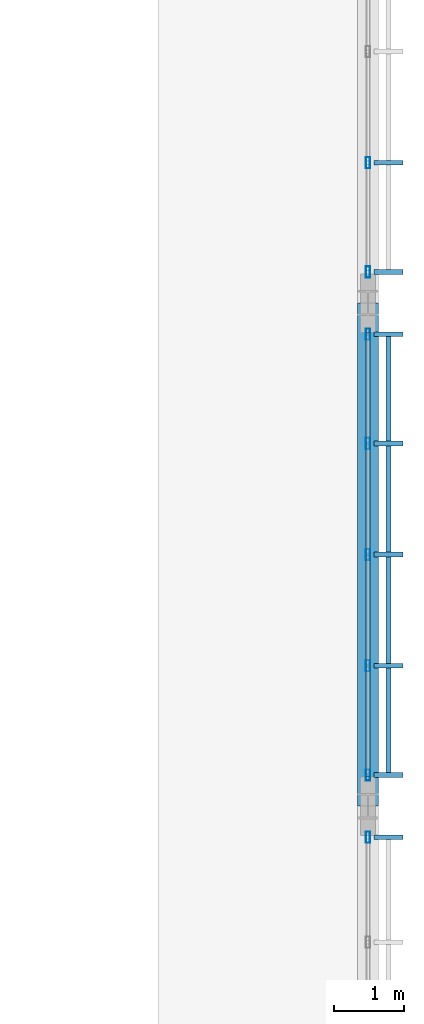
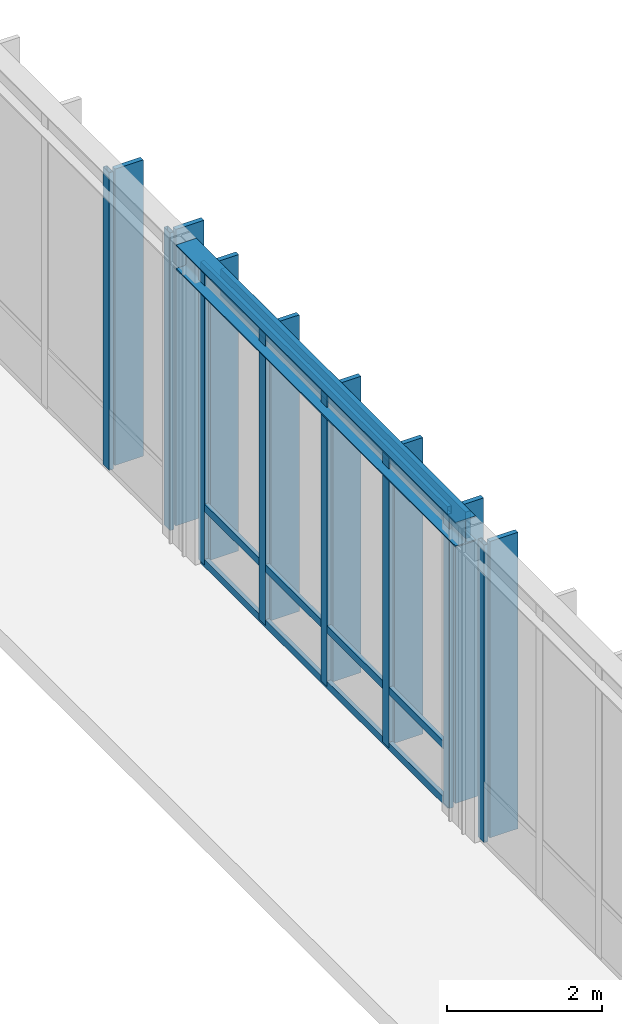
# One storey, part 110 of 177: 20 members, 1 beam, 3 elements without a shape of their own.
"""IFC4 building model written with IfcOpenShell, lengths in metres."""

from ifc_helpers import new_model, si_unit, direction, frame, origin, origin_2d, place, context, subcontext, project, spatial, rectangle, hollow_rectangle, i_section, extrude, material, material_profile, profile_set, type_object, element, aggregate, save


model = new_model("IFC4")

# Units and contexts
model_context = context("Model", 3, precision=1e-05, world=origin(), true_north=direction((0.0, 1.0)))
body_context = subcontext(model_context, "Body", "Model", "MODEL_VIEW")
ifc_project = project(units=[si_unit("LENGTHUNIT", "METRE"), si_unit("AREAUNIT", "SQUARE_METRE"), si_unit("VOLUMEUNIT", "CUBIC_METRE"), si_unit("PLANEANGLEUNIT", "RADIAN"), si_unit("MASSUNIT", "GRAM", prefix="KILO")], contexts=[model_context])

# Site, building, storey
site_placement = place(None, origin())
site = spatial("IfcSite", under=ifc_project, at=site_placement, CompositionType="ELEMENT")
building_placement = place(site_placement, origin())
building = spatial("IfcBuilding", under=site, at=building_placement, Name="Chiffa Square Polytechnic", CompositionType="ELEMENT")
storey_placement = place(building_placement, frame((0.0, 0.0, 4.800048828125)))
storey = spatial("IfcBuildingStorey", under=building, at=storey_placement, Name="L01", CompositionType="ELEMENT", Elevation=4.800048828125)

# Beam
ifc_material_1 = material(Name="Steel S355", Category="steel")
ifc_material_profile_1 = material_profile(ifc_material_1, i_section(OverallWidth=0.300048828125, OverallDepth=0.389892578125, WebThickness=0.010986328125, FlangeThickness=0.01904296875, FilletRadius=0.027099609375, at=origin_2d()), Name="HEA 400")
ifc_profile_set_1 = profile_set([ifc_material_profile_1], Name="Steel S355")
beam_type = type_object("IfcBeamType", Name="BM-STL-HEA400", PredefinedType="BEAM", material=ifc_profile_set_1)
beam_placement = place(storey_placement, frame((175.199951171875, 65.39990234375, 4.60498046875), z_axis=(0.0, 1.0, 0.0), x_axis=(-1.0, 0.0, 0.0)))
element("IfcBeam", 1, at=beam_placement, inside=storey, type_object=beam_type, Name="Workshop east gable tie girder BM-V2-GBLTIE-E2", PredefinedType="BEAM", context=body_context, shape_type="SweptSolid", body=[
    extrude(i_section(OverallWidth=0.300048828125, OverallDepth=0.389892578125, WebThickness=0.010986328125, FlangeThickness=0.01904296875, FilletRadius=0.027099609375, at=origin_2d()), origin(), (0.0, 0.0, 1.0), 7.2001953125),
])

# Curtain wall, member
ifc_material_2 = material(Name="Aluminium EN AW-6060 T66 and glulam shading", Category="wood")
curtain_wall_type_1 = type_object("IfcCurtainWallType", Name="CW-VERT-600X440", PredefinedType="USERDEFINED", material=ifc_material_2)
curtain_wall_1_placement = place(storey_placement, origin())
curtain_wall_1 = element("IfcCurtainWall", 2, at=curtain_wall_1_placement, inside=storey, type_object=curtain_wall_type_1, Name="Curtain wall CW-V2-L01E-01", ObjectType="CURTAIN WALL", PredefinedType="USERDEFINED")
ifc_material_3 = material(Name="Aluminium EN AW-6060 T66", Category="aluminium")
ifc_material_profile_2 = material_profile(ifc_material_3, hollow_rectangle(XDim=0.06005859375, YDim=0.159912109375, WallThickness=0.00390625, at=origin_2d()), Name="ALU 60x160x4")
ifc_profile_set_2 = profile_set([ifc_material_profile_2], Name="Aluminium EN AW-6060 T66")
member_type_1 = type_object("IfcMemberType", Name="CWM-ALU-65X150", PredefinedType="MULLION", material=ifc_profile_set_2)
member_1_placement = place(storey_placement, frame((175.199951171875, 64.955078125, 0.0400390625), z_axis=(0.0, 0.0, 1.0), x_axis=(1.0, 0.0, 0.0)))
member_1 = element("IfcMember", 3, at=member_1_placement, type_object=member_type_1, Name="Curtain wall mullion CW-V2-L01E-01-M04", PredefinedType="MULLION", context=body_context, shape_type="SweptSolid", body=[
    extrude(hollow_rectangle(XDim=0.06005859375, YDim=0.159912109375, WallThickness=0.00390625, at=origin_2d()), origin(), (0.0, 0.0, 1.0), 4.679931640625),
])

# Curtain wall, members
curtain_wall_type_2 = type_object("IfcCurtainWallType", Name="CW-VERT-450X380", PredefinedType="USERDEFINED", material=ifc_material_2)
curtain_wall_2_placement = place(storey_placement, origin())
curtain_wall_2 = element("IfcCurtainWall", 4, at=curtain_wall_2_placement, inside=storey, type_object=curtain_wall_type_2, Name="Curtain wall CW-V2-L01E-02", ObjectType="CURTAIN WALL", PredefinedType="USERDEFINED")
member_2_placement = place(storey_placement, frame((175.199951171875, 65.844970703125, 0.0400390625), z_axis=(0.0, 0.0, 1.0), x_axis=(1.0, 0.0, 0.0)))
member_2 = element("IfcMember", 5, at=member_2_placement, type_object=member_type_1, Name="Curtain wall mullion CW-V2-L01E-02-M00", PredefinedType="MULLION", context=body_context, shape_type="SweptSolid", body=[
    extrude(hollow_rectangle(XDim=0.06005859375, YDim=0.159912109375, WallThickness=0.00390625, at=origin_2d()), origin(), (0.0, 0.0, 1.0), 4.679931640625),
])
member_3_placement = place(storey_placement, frame((175.199951171875, 67.409912109375, 0.0400390625), z_axis=(0.0, 0.0, 1.0), x_axis=(1.0, 0.0, 0.0)))
member_3 = element("IfcMember", 6, at=member_3_placement, type_object=member_type_1, Name="Curtain wall mullion CW-V2-L01E-02-M01", PredefinedType="MULLION", context=body_context, shape_type="SweptSolid", body=[
    extrude(hollow_rectangle(XDim=0.06005859375, YDim=0.159912109375, WallThickness=0.00390625, at=origin_2d()), origin(), (0.0, 0.0, 1.0), 4.679931640625),
])
member_4_placement = place(storey_placement, frame((175.199951171875, 69.0, 0.0400390625), z_axis=(0.0, 0.0, 1.0), x_axis=(1.0, 0.0, 0.0)))
member_4 = element("IfcMember", 7, at=member_4_placement, type_object=member_type_1, Name="Curtain wall mullion CW-V2-L01E-02-M02", PredefinedType="MULLION", context=body_context, shape_type="SweptSolid", body=[
    extrude(hollow_rectangle(XDim=0.06005859375, YDim=0.159912109375, WallThickness=0.00390625, at=origin_2d()), origin(), (0.0, 0.0, 1.0), 4.679931640625),
])
member_5_placement = place(storey_placement, frame((175.199951171875, 70.590087890625, 0.0400390625), z_axis=(0.0, 0.0, 1.0), x_axis=(1.0, 0.0, 0.0)))
member_5 = element("IfcMember", 8, at=member_5_placement, type_object=member_type_1, Name="Curtain wall mullion CW-V2-L01E-02-M03", PredefinedType="MULLION", context=body_context, shape_type="SweptSolid", body=[
    extrude(hollow_rectangle(XDim=0.06005859375, YDim=0.159912109375, WallThickness=0.00390625, at=origin_2d()), origin(), (0.0, 0.0, 1.0), 4.679931640625),
])
member_6_placement = place(storey_placement, frame((175.199951171875, 72.155029296875, 0.0400390625), z_axis=(0.0, 0.0, 1.0), x_axis=(1.0, 0.0, 0.0)))
member_6 = element("IfcMember", 9, at=member_6_placement, type_object=member_type_1, Name="Curtain wall mullion CW-V2-L01E-02-M04", PredefinedType="MULLION", context=body_context, shape_type="SweptSolid", body=[
    extrude(hollow_rectangle(XDim=0.06005859375, YDim=0.159912109375, WallThickness=0.00390625, at=origin_2d()), origin(), (0.0, 0.0, 1.0), 4.679931640625),
])

curtain_wall_type_3 = type_object("IfcCurtainWallType", Name="CW-VERT-300X380", PredefinedType="USERDEFINED", material=ifc_material_2)
curtain_wall_3_placement = place(storey_placement, origin())
curtain_wall_3 = element("IfcCurtainWall", 10, at=curtain_wall_3_placement, inside=storey, type_object=curtain_wall_type_3, Name="Curtain wall CW-V2-L01E-03", ObjectType="CURTAIN WALL", PredefinedType="USERDEFINED")
member_7_placement = place(storey_placement, frame((175.199951171875, 73.044921875, 0.0400390625), z_axis=(0.0, 0.0, 1.0), x_axis=(1.0, 0.0, 0.0)))
member_7 = element("IfcMember", 11, at=member_7_placement, type_object=member_type_1, Name="Curtain wall mullion CW-V2-L01E-03-M00", PredefinedType="MULLION", context=body_context, shape_type="SweptSolid", body=[
    extrude(hollow_rectangle(XDim=0.06005859375, YDim=0.159912109375, WallThickness=0.00390625, at=origin_2d()), origin(), (0.0, 0.0, 1.0), 4.679931640625),
])
member_8_placement = place(storey_placement, frame((175.199951171875, 74.610107421875, 0.0400390625), z_axis=(0.0, 0.0, 1.0), x_axis=(1.0, 0.0, 0.0)))
member_8 = element("IfcMember", 12, at=member_8_placement, type_object=member_type_1, Name="Curtain wall mullion CW-V2-L01E-03-M01", PredefinedType="MULLION", context=body_context, shape_type="SweptSolid", body=[
    extrude(hollow_rectangle(XDim=0.06005859375, YDim=0.159912109375, WallThickness=0.00390625, at=origin_2d()), origin(), (0.0, 0.0, 1.0), 4.679931640625),
])

# Member
ifc_material_4 = material(Name="Glulam GL28h", Category="wood")
ifc_material_profile_3 = material_profile(ifc_material_4, rectangle(XDim=0.070068359375, YDim=0.419921875, at=origin_2d()), Name="GL28h 70x420")
ifc_profile_set_3 = profile_set([ifc_material_profile_3], Name="Glulam GL28h")
member_type_2 = type_object("IfcMemberType", Name="CWM-GL-70X420", PredefinedType="MULLION", material=ifc_profile_set_3)
member_9_placement = place(storey_placement, frame((175.491943359375, 64.955078125, 0.050048828125), z_axis=(0.0, 0.0, 1.0), x_axis=(0.0, 1.0, 0.0)))
member_9 = element("IfcMember", 13, at=member_9_placement, type_object=member_type_2, Name="Exterior glulam solar fin CW-V2-L01E-01-FN04", PredefinedType="MULLION", context=body_context, shape_type="SweptSolid", body=[
    extrude(rectangle(XDim=0.070068359375, YDim=0.419921875, at=origin_2d()), origin(), (0.0, 0.0, 1.0), 4.659912109375),
])

aggregate(curtain_wall_1, [member_1, member_9])

member_10_placement = place(storey_placement, frame((175.491943359375, 65.844970703125, 0.050048828125), z_axis=(0.0, 0.0, 1.0), x_axis=(0.0, 1.0, 0.0)))
member_10 = element("IfcMember", 14, at=member_10_placement, type_object=member_type_2, Name="Exterior glulam solar fin CW-V2-L01E-02-FN00", PredefinedType="MULLION", context=body_context, shape_type="SweptSolid", body=[
    extrude(rectangle(XDim=0.070068359375, YDim=0.419921875, at=origin_2d()), origin(), (0.0, 0.0, 1.0), 4.659912109375),
])

member_11_placement = place(storey_placement, frame((175.491943359375, 67.409912109375, 0.050048828125), z_axis=(0.0, 0.0, 1.0), x_axis=(0.0, 1.0, 0.0)))
member_11 = element("IfcMember", 15, at=member_11_placement, type_object=member_type_2, Name="Exterior glulam solar fin CW-V2-L01E-02-FN01", PredefinedType="MULLION", context=body_context, shape_type="SweptSolid", body=[
    extrude(rectangle(XDim=0.070068359375, YDim=0.419921875, at=origin_2d()), origin(), (0.0, 0.0, 1.0), 4.659912109375),
])

member_12_placement = place(storey_placement, frame((175.491943359375, 69.0, 0.050048828125), z_axis=(0.0, 0.0, 1.0), x_axis=(0.0, 1.0, 0.0)))
member_12 = element("IfcMember", 16, at=member_12_placement, type_object=member_type_2, Name="Exterior glulam solar fin CW-V2-L01E-02-FN02", PredefinedType="MULLION", context=body_context, shape_type="SweptSolid", body=[
    extrude(rectangle(XDim=0.070068359375, YDim=0.419921875, at=origin_2d()), origin(), (0.0, 0.0, 1.0), 4.659912109375),
])

member_13_placement = place(storey_placement, frame((175.491943359375, 70.590087890625, 0.050048828125), z_axis=(0.0, 0.0, 1.0), x_axis=(0.0, 1.0, 0.0)))
member_13 = element("IfcMember", 17, at=member_13_placement, type_object=member_type_2, Name="Exterior glulam solar fin CW-V2-L01E-02-FN03", PredefinedType="MULLION", context=body_context, shape_type="SweptSolid", body=[
    extrude(rectangle(XDim=0.070068359375, YDim=0.419921875, at=origin_2d()), origin(), (0.0, 0.0, 1.0), 4.659912109375),
])

member_14_placement = place(storey_placement, frame((175.491943359375, 72.155029296875, 0.050048828125), z_axis=(0.0, 0.0, 1.0), x_axis=(0.0, 1.0, 0.0)))
member_14 = element("IfcMember", 18, at=member_14_placement, type_object=member_type_2, Name="Exterior glulam solar fin CW-V2-L01E-02-FN04", PredefinedType="MULLION", context=body_context, shape_type="SweptSolid", body=[
    extrude(rectangle(XDim=0.070068359375, YDim=0.419921875, at=origin_2d()), origin(), (0.0, 0.0, 1.0), 4.659912109375),
])

member_15_placement = place(storey_placement, frame((175.491943359375, 73.044921875, 0.050048828125), z_axis=(0.0, 0.0, 1.0), x_axis=(0.0, 1.0, 0.0)))
member_15 = element("IfcMember", 19, at=member_15_placement, type_object=member_type_2, Name="Exterior glulam solar fin CW-V2-L01E-03-FN00", PredefinedType="MULLION", context=body_context, shape_type="SweptSolid", body=[
    extrude(rectangle(XDim=0.070068359375, YDim=0.419921875, at=origin_2d()), origin(), (0.0, 0.0, 1.0), 4.659912109375),
])

member_16_placement = place(storey_placement, frame((175.491943359375, 74.610107421875, 0.050048828125), z_axis=(0.0, 0.0, 1.0), x_axis=(0.0, 1.0, 0.0)))
member_16 = element("IfcMember", 20, at=member_16_placement, type_object=member_type_2, Name="Exterior glulam solar fin CW-V2-L01E-03-FN01", PredefinedType="MULLION", context=body_context, shape_type="SweptSolid", body=[
    extrude(rectangle(XDim=0.070068359375, YDim=0.419921875, at=origin_2d()), origin(), (0.0, 0.0, 1.0), 4.659912109375),
])

aggregate(curtain_wall_3, [member_7, member_15, member_8, member_16])

ifc_material_profile_4 = material_profile(ifc_material_3, hollow_rectangle(XDim=0.06005859375, YDim=0.1201171875, WallThickness=0.00390625, at=origin_2d()), Name="ALU 60x120x4")
ifc_profile_set_4 = profile_set([ifc_material_profile_4], Name="Aluminium EN AW-6060 T66")
member_type_3 = type_object("IfcMemberType", Name="CWT-ALU-65X120", PredefinedType="USERDEFINED", material=ifc_profile_set_4)
member_17_placement = place(storey_placement, frame((175.199951171875, 65.818115234375, 0.070068359375), z_axis=(0.0, 1.0, 0.0), x_axis=(-1.0, 0.0, 0.0)))
member_17 = element("IfcMember", 21, at=member_17_placement, type_object=member_type_3, Name="Curtain wall transom CW-V2-L01E-02-T01", ObjectType="TRANSOM", PredefinedType="USERDEFINED", context=body_context, shape_type="SweptSolid", body=[
    extrude(hollow_rectangle(XDim=0.06005859375, YDim=0.1201171875, WallThickness=0.00390625, at=origin_2d()), origin(), (0.0, 0.0, 1.0), 6.36376953125),
])

member_18_placement = place(storey_placement, frame((175.199951171875, 65.818115234375, 0.93994140625), z_axis=(0.0, 1.0, 0.0), x_axis=(-1.0, 0.0, 0.0)))
member_18 = element("IfcMember", 22, at=member_18_placement, type_object=member_type_3, Name="Curtain wall transom CW-V2-L01E-02-T02", ObjectType="TRANSOM", PredefinedType="USERDEFINED", context=body_context, shape_type="SweptSolid", body=[
    extrude(hollow_rectangle(XDim=0.06005859375, YDim=0.1201171875, WallThickness=0.00390625, at=origin_2d()), origin(), (0.0, 0.0, 1.0), 6.36376953125),
])

member_19_placement = place(storey_placement, frame((175.199951171875, 65.818115234375, 4.68994140625), z_axis=(0.0, 1.0, 0.0), x_axis=(-1.0, 0.0, 0.0)))
member_19 = element("IfcMember", 23, at=member_19_placement, type_object=member_type_3, Name="Curtain wall transom CW-V2-L01E-02-T03", ObjectType="TRANSOM", PredefinedType="USERDEFINED", context=body_context, shape_type="SweptSolid", body=[
    extrude(hollow_rectangle(XDim=0.06005859375, YDim=0.1201171875, WallThickness=0.00390625, at=origin_2d()), origin(), (0.0, 0.0, 1.0), 6.36376953125),
])

ifc_material_profile_5 = material_profile(ifc_material_4, rectangle(XDim=0.070068359375, YDim=0.419921875, at=origin_2d()), Name="GL28h 70x420")
ifc_profile_set_5 = profile_set([ifc_material_profile_5], Name="Glulam GL28h")
member_type_4 = type_object("IfcMemberType", Name="CWT-GL-70X420", PredefinedType="USERDEFINED", material=ifc_profile_set_5)
member_20_placement = place(storey_placement, frame((175.491943359375, 65.844970703125, 4.33984375), z_axis=(0.0, 1.0, 0.0), x_axis=(-1.0, 0.0, 0.0)))
member_20 = element("IfcMember", 24, at=member_20_placement, type_object=member_type_4, Name="Exterior glulam brise-soleil CW-V2-L01E-02-BS01", ObjectType="TRANSOM", PredefinedType="USERDEFINED", context=body_context, shape_type="SweptSolid", body=[
    extrude(rectangle(XDim=0.070068359375, YDim=0.419921875, at=origin_2d()), origin(), (0.0, 0.0, 1.0), 6.31005859375),
])

aggregate(curtain_wall_2, [member_2, member_10, member_3, member_11, member_4, member_12, member_5, member_13, member_6, member_14, member_17, member_18, member_19, member_20])

save(model, "model.ifc")
